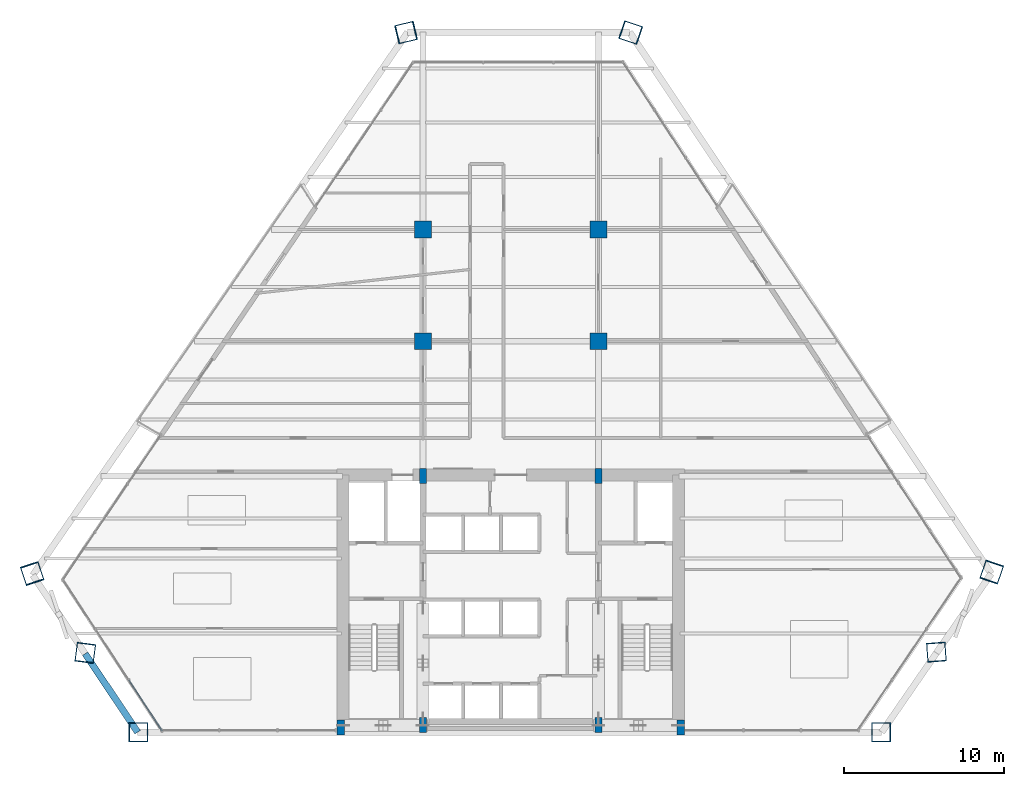
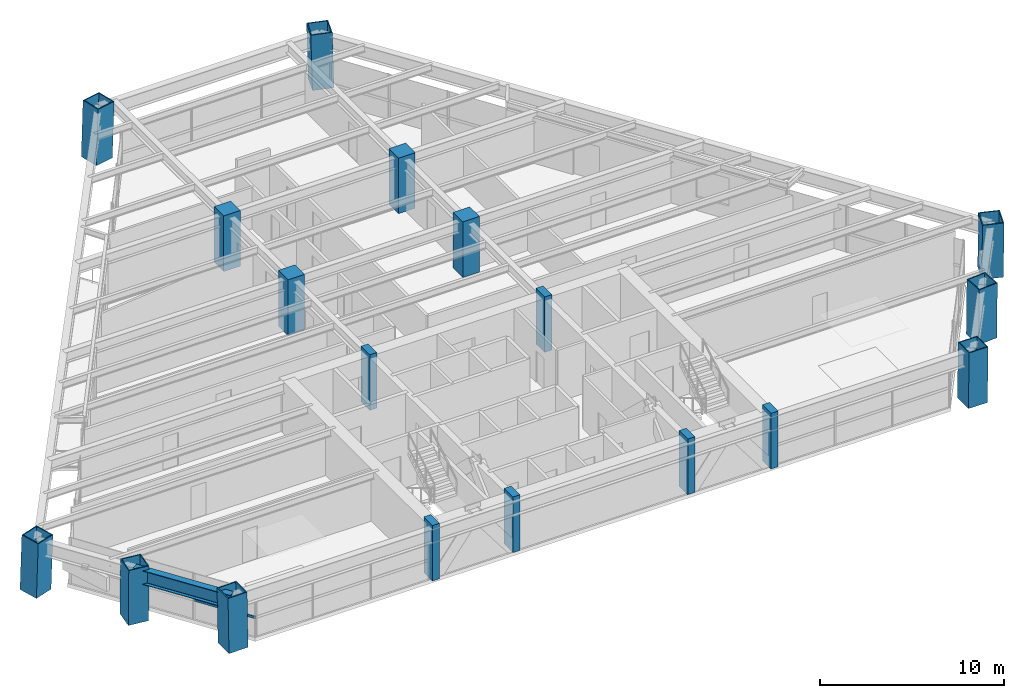
# One storey, part 1 of 14: 18 columns, 1 beam, 1 member, 1 element without a shape of its own.
"""IFC4 building model written with IfcOpenShell, lengths in metres."""

from ifc_helpers import new_model, si_unit, direction, frame, origin, origin_2d, place, context, subcontext, project, spatial, rectangle, hollow_rectangle, i_section, extrude, source, transform, mapped, material, material_profile, profile_set, type_object, type_shapes, element, aggregate, save


model = new_model("IFC4")

# Units and contexts
model_context = context("Model", 3, precision=1e-05, world=origin(), true_north=direction((0.0, 1.0)))
body_context = subcontext(model_context, "Body", "Model", "MODEL_VIEW")
ifc_project = project(units=[si_unit("LENGTHUNIT", "METRE"), si_unit("AREAUNIT", "SQUARE_METRE"), si_unit("VOLUMEUNIT", "CUBIC_METRE"), si_unit("PLANEANGLEUNIT", "RADIAN"), si_unit("MASSUNIT", "GRAM", prefix="KILO")], contexts=[model_context])

# Site, building, storey
site_placement = place(None, origin())
site = spatial("IfcSite", under=ifc_project, at=site_placement, CompositionType="ELEMENT")
building_placement = place(site_placement, origin())
building = spatial("IfcBuilding", under=site, at=building_placement, Name="Varnakhor Terracotta Tower", CompositionType="ELEMENT")
storey_placement = place(building_placement, frame((0.0, 0.0, 76.60009765625)))
storey = spatial("IfcBuildingStorey", under=building, at=storey_placement, Name="L18", CompositionType="ELEMENT", Elevation=76.60009765625)

# Columns
ifc_material_1 = material(Name="Concrete C50/60", Category="concrete")
ifc_material_profile_1 = material_profile(ifc_material_1, rectangle(XDim=0.449951171875, YDim=0.949951171875, at=origin_2d()), Name="RC PILASTER 950x450")
ifc_profile_set_1 = profile_set([ifc_material_profile_1], Name="Concrete C50/60")
column_type_1 = type_object("IfcColumnType", Name="COL-PIL-950x450", PredefinedType="PILASTER", material=ifc_profile_set_1)
shared_shape_1 = source(origin(), body_context, "Body", "SweptSolid", [
    extrude(rectangle(XDim=0.449951171875, YDim=0.949951171875, at=origin_2d()), origin(), (0.0, 0.0, 1.0), 3.699951171875),
])
for number, where, z_axis, x_axis, name in (
    (1, (-10.64990234375, 0.300048828125, 0.0), (0.0, 0.0, 1.0), (1.0, 0.0, 0.0), "L18 Core Pilaster CP1"),
    (2, (-5.5, 0.449951171875, 0.0), (0.0, 0.0, 1.0), (1.0, 0.0, 0.0), "L18 Core Pilaster CP2"),
    (3, (5.5, 0.449951171875, 0.0), (0.0, 0.0, 1.0), (1.0, 0.0, 0.0), "L18 Core Pilaster CP3"),
    (4, (10.64990234375, 0.300048828125, 0.0), (0.0, 0.0, 1.0), (1.0, 0.0, 0.0), "L18 Core Pilaster CP4"),
    (5, (-5.5, 16.050048828125, 0.0), (0.0, 0.0, 1.0), (1.0, 0.0, 0.0), "L18 Core Pilaster CP5"),
    (6, (5.5, 16.050048828125, 0.0), (0.0, 0.0, 1.0), (1.0, 0.0, 0.0), "L18 Core Pilaster CP6"),
):
    element("IfcColumn", number, at=place(storey_placement, frame(where, z_axis=z_axis, x_axis=x_axis)), inside=storey, type_object=column_type_1, Name=name, PredefinedType="PILASTER", context=body_context, shape_type="MappedRepresentation", body=[
        mapped(shared_shape_1, transform((0.0, 0.0, 0.0), scale=1.0)),
    ])
ifc_material_2 = material(Name="Concrete C60/75", Category="concrete")
ifc_material_profile_2 = material_profile(ifc_material_2, rectangle(XDim=1.050048828125, YDim=1.050048828125, at=origin_2d()), Name="RC 1050x1050")
ifc_profile_set_2 = profile_set([ifc_material_profile_2], Name="Concrete C60/75")
column_type_2 = type_object("IfcColumnType", Name="COL-RC-1050", PredefinedType="COLUMN", material=ifc_profile_set_2)
shared_shape_2 = source(origin(), body_context, "Body", "SweptSolid", [
    extrude(rectangle(XDim=1.050048828125, YDim=1.050048828125, at=origin_2d()), origin(), (0.0, 0.0, 1.0), 3.699951171875),
])
for number, where, z_axis, x_axis, name in (
    (7, (-5.5, 24.5, 0.0), (0.0, 0.0, 1.0), (1.0, 0.0, 0.0), "L18 Interior Tower Column IC1"),
    (8, (5.5, 24.5, 0.0), (0.0, 0.0, 1.0), (1.0, 0.0, 0.0), "L18 Interior Tower Column IC2"),
    (9, (-5.5, 31.5, 0.0), (0.0, 0.0, 1.0), (1.0, 0.0, 0.0), "L18 Interior Tower Column IC3"),
    (10, (5.5, 31.5, 0.0), (0.0, 0.0, 1.0), (1.0, 0.0, 0.0), "L18 Interior Tower Column IC4"),
):
    element("IfcColumn", number, at=place(storey_placement, frame(where, z_axis=z_axis, x_axis=x_axis)), inside=storey, type_object=column_type_2, Name=name, PredefinedType="COLUMN", context=body_context, shape_type="MappedRepresentation", body=[
        mapped(shared_shape_2, transform((0.0, 0.0, 0.0), scale=1.0)),
    ])
ifc_material_3 = material(Name="Steel S460", Category="steel")
ifc_material_profile_3 = material_profile(ifc_material_3, hollow_rectangle(XDim=1.199951171875, YDim=1.199951171875, WallThickness=0.06005859375, at=origin_2d()), Name="BOX 1200x1200x60")
ifc_profile_set_3 = profile_set([ifc_material_profile_3], Name="Steel S460")
column_type_3 = type_object("IfcColumnType", Name="COL-MEGA-1200", PredefinedType="COLUMN", material=ifc_profile_set_3)
shared_shape_3 = source(origin(), body_context, "Body", "SweptSolid", [
    extrude(hollow_rectangle(XDim=1.199951171875, YDim=1.199951171875, WallThickness=0.06005859375, at=origin_2d()), origin(), (0.0, 0.0, 1.0), 3.691650390625),
])
type_shapes(column_type_3, [shared_shape_3])
for number, where, z_axis, x_axis, name in (
    (11, (-23.32421875, 0.0, 0.00439453125), (-0.01580594905, 0.0, 0.999875078185), (0.0, -1.0, 0.0), "L18 Perimeter Mega-Column M1"),
    (12, (26.67529296875, 5.02880859375, 0.00439453125), (0.001190396523, -0.016268752486, 0.999866946473), (0.997333723592, 0.072975638312, 0.0), "L18 Perimeter Mega-Column M3"),
    (13, (-26.66015625, 4.98291015625, 0.00439453125), (-0.002248490396, -0.017128206249, 0.999850773287), (0.991493340479, -0.130157426935, 0.0), "L18 Perimeter Mega-Column M8"),
):
    element("IfcColumn", number, at=place(storey_placement, frame(where, z_axis=z_axis, x_axis=x_axis)), inside=storey, type_object=column_type_3, Name=name, PredefinedType="COLUMN", context=body_context, shape_type="MappedRepresentation", body=[
        mapped(shared_shape_3, transform((0.0, 0.0, 0.0), scale=1.0)),
    ])
shared_shape_4 = source(origin(), body_context, "Body", "SweptSolid", [
    extrude(hollow_rectangle(XDim=1.199951171875, YDim=1.199951171875, WallThickness=0.06005859375, at=origin_2d()), origin(), (0.0, 0.0, 1.0), 3.69140625),
])
column_1_placement = place(storey_placement, frame((23.199462890625, 0.0, 0.00439453125), z_axis=(0.013425603818, 0.0, 0.99990987252), x_axis=(0.0, 1.0, 0.0)))
element("IfcColumn", 14, at=column_1_placement, inside=storey, type_object=column_type_3, Name="L18 Perimeter Mega-Column M2", PredefinedType="COLUMN", context=body_context, shape_type="MappedRepresentation", body=[
    mapped(shared_shape_4, transform((0.0, 0.0, 0.0), scale=1.0)),
])
shared_shape_5 = source(origin(), body_context, "Body", "SweptSolid", [
    extrude(hollow_rectangle(XDim=1.199951171875, YDim=1.199951171875, WallThickness=0.06005859375, at=origin_2d()), origin(), (0.0, 0.0, 1.0), 3.693359375),
])
for number, where, z_axis, x_axis, name in (
    (15, (30.15087890625, 10.057373046875, 0.00439453125), (-0.011039211191, -0.032456602962, 0.999412179604), (0.946737480161, -0.322006434189, 0.0), "L18 Perimeter Mega-Column M4"),
    (16, (-6.580078125, 43.84375, 0.00439453125), (0.033646108742, 0.007998387343, 0.999401803664), (-0.231275973677, 0.972888186792, 0.0), "L18 Perimeter Mega-Column M6"),
):
    element("IfcColumn", number, at=place(storey_placement, frame(where, z_axis=z_axis, x_axis=x_axis)), inside=storey, type_object=column_type_3, Name=name, PredefinedType="COLUMN", context=body_context, shape_type="MappedRepresentation", body=[
        mapped(shared_shape_5, transform((0.0, 0.0, 0.0), scale=1.0)),
    ])
shared_shape_6 = source(origin(), body_context, "Body", "SweptSolid", [
    extrude(hollow_rectangle(XDim=1.199951171875, YDim=1.199951171875, WallThickness=0.06005859375, at=origin_2d()), origin(), (0.0, 0.0, 1.0), 3.6923828125),
])
column_2_placement = place(storey_placement, frame((7.531005859375, 43.84375, 0.00439453125), z_axis=(-0.023605337289, 0.008000688549, 0.999689340262), x_axis=(-0.320998951016, -0.947079549693, 0.0)))
element("IfcColumn", 17, at=column_2_placement, inside=storey, type_object=column_type_3, Name="L18 Perimeter Mega-Column M5", PredefinedType="COLUMN", context=body_context, shape_type="MappedRepresentation", body=[
    mapped(shared_shape_6, transform((0.0, 0.0, 0.0), scale=1.0)),
])
shared_shape_7 = source(origin(), body_context, "Body", "SweptSolid", [
    extrude(hollow_rectangle(XDim=1.199951171875, YDim=1.199951171875, WallThickness=0.06005859375, at=origin_2d()), origin(), (0.0, 0.0, 1.0), 3.693603515625),
])
column_3_placement = place(storey_placement, frame((-29.99609375, 9.9658203125, 0.00439453125), z_axis=(0.011302891707, -0.034305267812, 0.999347483731), x_axis=(0.949775585742, 0.312931840389, 0.0)))
element("IfcColumn", 18, at=column_3_placement, inside=storey, type_object=column_type_3, Name="L18 Perimeter Mega-Column M7", PredefinedType="COLUMN", context=body_context, shape_type="MappedRepresentation", body=[
    mapped(shared_shape_7, transform((0.0, 0.0, 0.0), scale=1.0)),
])

# Beam
ifc_material_4 = material(Name="Steel S355", Category="steel")
ifc_material_profile_4 = material_profile(ifc_material_4, i_section(OverallWidth=0.41796875, OverallDepth=0.927001953125, WebThickness=0.01904296875, FlangeThickness=0.031982421875, FilletRadius=0.01806640625, at=origin_2d()), Name="W36X231")
ifc_profile_set_4 = profile_set([ifc_material_profile_4], Name="Steel S355")
beam_type = type_object("IfcBeamType", Name="BM-W36X231", PredefinedType="BEAM", material=ifc_profile_set_4)
shared_shape_8 = source(origin(), body_context, "Body", "SweptSolid", [
    extrude(i_section(OverallWidth=0.41796875, OverallDepth=0.927001953125, WebThickness=0.01904296875, FlangeThickness=0.031982421875, FilletRadius=0.01806640625, at=origin_2d()), origin(), (0.0, 0.0, 1.0), 5.916015625),
])
beam_placement = place(storey_placement, frame((-26.66845703125, 4.919677734375, 2.986328125), z_axis=(0.555414230551, -0.831573828653, 0.0), x_axis=(0.831573828653, 0.555414230551, 0.0)))
element("IfcBeam", 19, at=beam_placement, inside=storey, type_object=beam_type, Name="L18 Perimeter Spandrel 8", PredefinedType="BEAM", context=body_context, shape_type="MappedRepresentation", body=[
    mapped(shared_shape_8, transform((0.0, 0.0, 0.0), scale=1.0)),
])

# Curtain wall, member
ifc_material_5 = material(Name="Anodised Aluminium Curtain Wall System", Category="aluminium")
curtain_wall_type = type_object("IfcCurtainWallType", Name="CW-SYS-LOW-OFFICE", PredefinedType="NOTDEFINED", material=ifc_material_5)
curtain_wall_placement = place(storey_placement, origin())
curtain_wall = element("IfcCurtainWall", 20, at=curtain_wall_placement, inside=storey, type_object=curtain_wall_type, Name="L18 Facet Curtain Wall 6", PredefinedType="NOTDEFINED")
ifc_material_6 = material(Name="Anodised Aluminium 6063-T6", Category="aluminium")
ifc_material_profile_5 = material_profile(ifc_material_6, rectangle(XDim=0.074951171875, YDim=0.1650390625, at=origin_2d()), Name="ALU TRANSOM 75x165")
ifc_profile_set_5 = profile_set([ifc_material_profile_5], Name="Anodised Aluminium 6063-T6")
member_type = type_object("IfcMemberType", Name="CWT-02", PredefinedType="USERDEFINED", material=ifc_profile_set_5)
shared_shape_9 = source(origin(), body_context, "Body", "SweptSolid", [
    extrude(rectangle(XDim=0.074951171875, YDim=0.1650390625, at=origin_2d()), origin(), (0.0, 0.0, 1.0), 3.793701171875),
])
member_placement = place(storey_placement, frame((-21.848876953125, 0.0908203125, 1.2724609375), z_axis=(-0.54786476752, 0.836566910958, 0.0), x_axis=(-0.836566910958, -0.54786476752, 0.0)))
member = element("IfcMember", 21, at=member_placement, type_object=member_type, Name="L18 Facet Curtain Wall 6 Transom 1", ObjectType="TRANSOM", PredefinedType="USERDEFINED", context=body_context, shape_type="MappedRepresentation", body=[
    mapped(shared_shape_9, transform((0.0, 0.0, 0.0), scale=1.0)),
])
aggregate(curtain_wall, [member])

save(model, "model.ifc")
